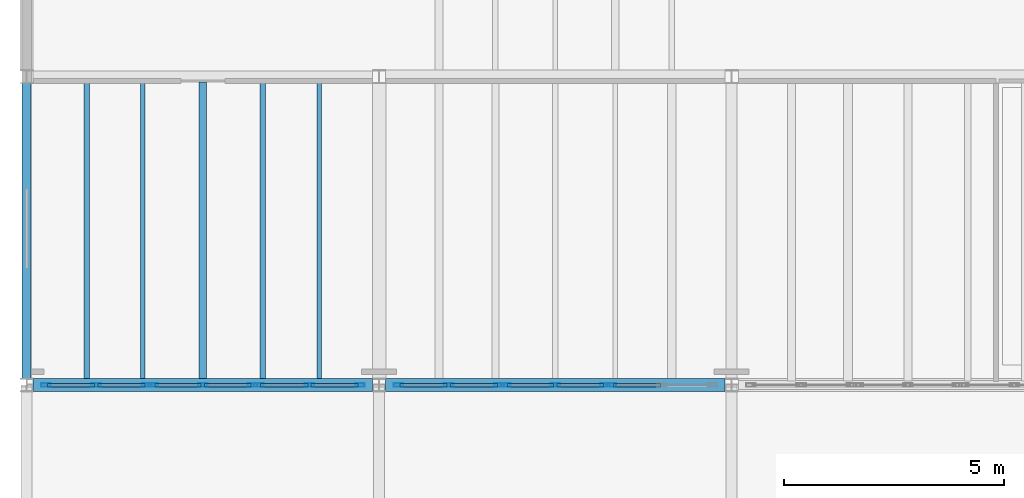
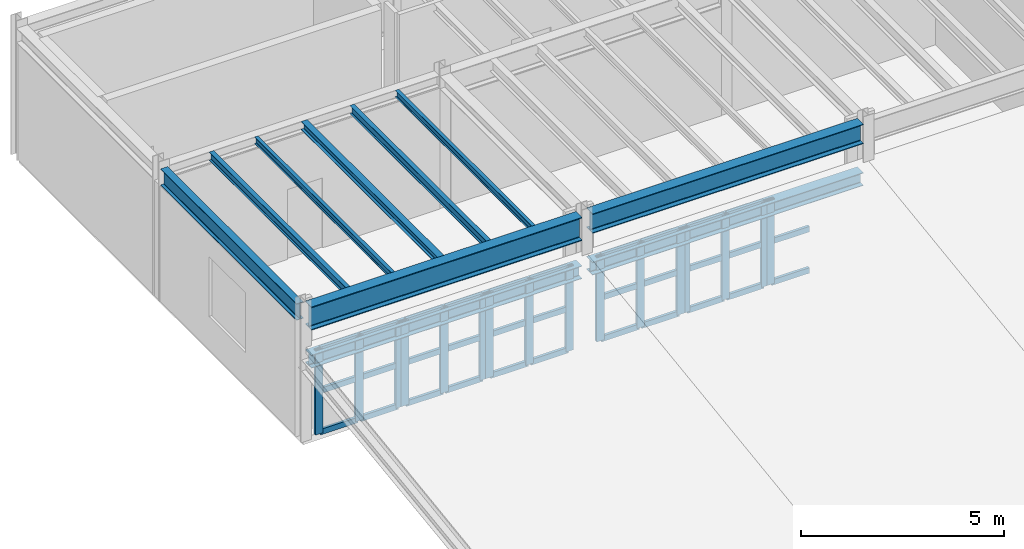
# One storey, part 8 of 77: 48 members, 10 beams, 6 elements without a shape of their own.
"""IFC4 building model written with IfcOpenShell, lengths in metres."""

import ifcopenshell
import ifcopenshell.guid

model = None  # the IFC model being written
_history = None  # IfcOwnerHistory: only IFC2X3 demands one
_inside = {}  # id of a spatial element -> (the spatial element, [elements in it])
_under = {}  # id of a project, library or spatial element -> (it, [spatial elements below it])
_declared = {}  # id of a project -> (the project, [libraries it declares])
_typed = {}  # id of a type object -> (the type object, [elements of that type])
_made_of = {}  # id of a material, layer set ... -> (it, [elements and type objects made of it])


def new_model(schema):
    """Start an empty IFC model of exactly this schema.

    Asked for "IFC4X3", IfcOpenShell would pick the latest addendum, in which some entities
    have other attributes; the version numbers below select the first issue.
    IFC2X3 requires an IfcOwnerHistory on every rooted entity: one is made here for all.
    """
    global model, _history
    if schema == "IFC4X3":
        model = ifcopenshell.file(schema_version=(4, 3, 0, 0))
    else:
        model = ifcopenshell.file(schema=schema)
    _inside.clear()
    _under.clear()
    _declared.clear()
    _typed.clear()
    _made_of.clear()
    _history = None
    if model.schema == "IFC2X3":
        org = make("IfcOrganization", Name="unknown")
        user = make(
            "IfcPersonAndOrganization",
            ThePerson=make("IfcPerson", FamilyName="unknown"),
            TheOrganization=org,
        )
        app = make(
            "IfcApplication",
            ApplicationDeveloper=org,
            Version="unknown",
            ApplicationFullName="unknown",
            ApplicationIdentifier="unknown",
        )
        _history = make(
            "IfcOwnerHistory",
            OwningUser=user,
            OwningApplication=app,
            ChangeAction="ADDED",
            CreationDate=0,
        )
    return model


def make(cls, **values):
    """One entity of the class cls with the attributes given. An attribute that is None is left unset."""
    return model.create_entity(
        cls, **{name: value for name, value in values.items() if value is not None}
    )


def rooted(cls, **values):
    """An entity with a GlobalId (a new one), such as an element, a storey or a relation."""
    return make(cls, GlobalId=ifcopenshell.guid.new(), OwnerHistory=_history, **values)


def si_unit(unit_type, name, prefix=None):
    """IfcSIUnit, for example si_unit("LENGTHUNIT", "METRE", prefix="MILLI")."""
    return make("IfcSIUnit", UnitType=unit_type, Prefix=prefix, Name=name)


def assignment(units):
    """IfcUnitAssignment: the units of a project."""
    return None if units is None else make("IfcUnitAssignment", Units=units)


def point(xyz):
    """IfcCartesianPoint."""
    return None if xyz is None else make("IfcCartesianPoint", Coordinates=xyz)


def direction(xyz):
    """IfcDirection."""
    return None if xyz is None else make("IfcDirection", DirectionRatios=xyz)


def frame(location, z_axis=None, x_axis=None):
    """IfcAxis2Placement3D, a coordinate frame: its origin and axes. An axis left out is left unset."""
    return make(
        "IfcAxis2Placement3D",
        Location=point(location),
        Axis=direction(z_axis),
        RefDirection=direction(x_axis),
    )


def frame_2d(location, x_axis=None):
    """IfcAxis2Placement2D, a coordinate frame in the plane: its origin and x axis."""
    return make(
        "IfcAxis2Placement2D", Location=point(location), RefDirection=direction(x_axis)
    )


def origin():
    """The frame at (0, 0, 0) with its axes left unset."""
    return frame((0.0, 0.0, 0.0))


def origin_2d():
    """The frame at (0, 0) in the plane with its x axis left unset."""
    return frame_2d((0.0, 0.0))


def place(relative_to, where):
    """IfcLocalPlacement: puts the frame where relative to a parent placement (None: the world)."""
    return make(
        "IfcLocalPlacement", PlacementRelTo=relative_to, RelativePlacement=where
    )


def context(
    kind, dimensions, precision=None, world=None, true_north=None, identifier=None
):
    """IfcGeometricRepresentationContext, for example the 3D "Model" context."""
    return make(
        "IfcGeometricRepresentationContext",
        ContextIdentifier=identifier,
        ContextType=kind,
        CoordinateSpaceDimension=dimensions,
        Precision=precision,
        WorldCoordinateSystem=world,
        TrueNorth=true_north,
    )


def subcontext(parent, identifier, kind, view, scale=None):
    """IfcGeometricRepresentationSubContext, for example "Body" below "Model"."""
    return make(
        "IfcGeometricRepresentationSubContext",
        ContextIdentifier=identifier,
        ContextType=kind,
        ParentContext=parent,
        TargetScale=scale,
        TargetView=view,
    )


def project(units=None, contexts=None):
    """IfcProject with its units and contexts."""
    return rooted(
        "IfcProject",
        Name="project",
        RepresentationContexts=contexts,
        UnitsInContext=assignment(units),
    )


def spatial(cls, under=None, at=None, **own):
    """A site, building, storey or space (cls), placed at a placement, below another one or the project."""
    s = rooted(cls, ObjectPlacement=at, **own)
    if under is not None:
        _under.setdefault(under.id(), (under, []))[1].append(s)
    return s


def profile(cls, at=None, kind="AREA", **sizes):
    """A parametric profile (cls). Its sizes go by their IFC names, for example OverallWidth=200.0."""
    return make(cls, ProfileType=kind, Position=at, **sizes)


def hollow_rectangle(**sizes):
    """IfcRectangleHollowProfileDef."""
    return profile("IfcRectangleHollowProfileDef", **sizes)


def i_section(**sizes):
    """IfcIShapeProfileDef."""
    return profile("IfcIShapeProfileDef", **sizes)


def extrude(swept, where, along, depth):
    """IfcExtrudedAreaSolid: the profile swept, set in the frame where, extruded along a direction by depth."""
    return make(
        "IfcExtrudedAreaSolid",
        SweptArea=swept,
        Position=where,
        ExtrudedDirection=direction(along),
        Depth=depth,
    )


def shape(context_of_items, identifier, shape_type, items):
    """IfcShapeRepresentation: the items that make up one representation, for example the "Body"."""
    return make(
        "IfcShapeRepresentation",
        ContextOfItems=context_of_items,
        RepresentationIdentifier=identifier,
        RepresentationType=shape_type,
        Items=items,
    )


def material(Name=None, Category=None):
    """IfcMaterial."""
    return make("IfcMaterial", Name=Name, Category=Category)


def material_profile(
    of_material, cross_section, Name=None, Category=None, Priority=None
):
    """IfcMaterialProfile: a cross section and its material."""
    return make(
        "IfcMaterialProfile",
        Name=Name,
        Material=of_material,
        Profile=cross_section,
        Priority=Priority,
        Category=Category,
    )


def profile_set(profiles, Name=None, composite=None):
    """IfcMaterialProfileSet."""
    return make(
        "IfcMaterialProfileSet",
        Name=Name,
        MaterialProfiles=profiles,
        CompositeProfile=composite,
    )


def made_of(thing, what):
    """Note that an element or type object is made of a material, layer set ...; save() writes the relation."""
    if what is not None:
        _made_of.setdefault(what.id(), (what, []))[1].append(thing)
    return thing


def type_object(cls, material=None, **own):
    """A type object (cls), such as IfcWallType, which elements share."""
    return made_of(rooted(cls, **own), material)


def element(
    cls,
    number,
    at=None,
    inside=None,
    cuts=None,
    type_object=None,
    material=None,
    context=None,
    identifier="Body",
    shape_type=None,
    held_by="IfcProductDefinitionShape",
    body=None,
    shapes=None,
    **own,
):
    """One element of the class cls, such as IfcWall. Its Tag is "e" and its number.

    at: its placement. inside: the storey or other place that contains it. cuts: it is an
    opening in that element (IfcRelVoidsElement). A single representation is given by context,
    identifier, shape_type and body (its items); several are given by shapes. held_by: the class
    of the entity that holds the representations. save() writes the other relations.
    """
    e = rooted(cls, Tag="e%d" % number, ObjectPlacement=at, **own)
    if body is not None:
        shapes = [shape(context, identifier, shape_type, body)]
    if shapes is not None:
        e.Representation = make(held_by, Representations=shapes)
    if inside is not None:
        _inside.setdefault(inside.id(), (inside, []))[1].append(e)
    if cuts is not None:
        rooted(
            "IfcRelVoidsElement", RelatingBuildingElement=cuts, RelatedOpeningElement=e
        )
    if type_object is not None:
        _typed.setdefault(type_object.id(), (type_object, []))[1].append(e)
    return made_of(e, material)


def aggregate(whole, parts):
    """IfcRelAggregates: a whole, such as a stair, and the parts it consists of."""
    return rooted("IfcRelAggregates", RelatingObject=whole, RelatedObjects=parts)


def save(model, path):
    """Write the relations noted so far, then the file.

    IfcRelAggregates (storeys below a building ...), IfcRelContainedInSpatialStructure (elements
    in a storey), IfcRelDefinesByType, IfcRelAssociatesMaterial and IfcRelDeclares: one each for
    every whole, place, type object, material and project.
    """
    for whole, parts in _under.values():
        aggregate(whole, parts)
    for where, things in _inside.values():
        rooted(
            "IfcRelContainedInSpatialStructure",
            RelatedElements=things,
            RelatingStructure=where,
        )
    for kind, things in _typed.values():
        rooted("IfcRelDefinesByType", RelatedObjects=things, RelatingType=kind)
    for what, things in _made_of.values():
        rooted("IfcRelAssociatesMaterial", RelatedObjects=things, RelatingMaterial=what)
    for by, libraries in _declared.values():
        rooted("IfcRelDeclares", RelatingContext=by, RelatedDefinitions=libraries)
    model.write(path)


model = new_model("IFC4")

# Units and contexts
model_context = context("Model", 3, precision=1e-05, world=origin(), true_north=direction((0.0, 1.0)))
body_context = subcontext(model_context, "Body", "Model", "MODEL_VIEW")
ifc_project = project(units=[si_unit("LENGTHUNIT", "METRE"), si_unit("AREAUNIT", "SQUARE_METRE"), si_unit("VOLUMEUNIT", "CUBIC_METRE"), si_unit("PLANEANGLEUNIT", "RADIAN"), si_unit("MASSUNIT", "GRAM", prefix="KILO"), si_unit("THERMODYNAMICTEMPERATUREUNIT", "KELVIN"), si_unit("POWERUNIT", "WATT")], contexts=[model_context])

# Site, building, storey
site_placement = place(None, origin())
site = spatial("IfcSite", under=ifc_project, at=site_placement, CompositionType="ELEMENT")
building_placement = place(site_placement, origin())
building = spatial("IfcBuilding", under=site, at=building_placement, Name="Zhenchuan Central Fire Station", CompositionType="ELEMENT")
storey_placement = place(building_placement, frame((0.0, 0.0, 10.050048828125)))
storey = spatial("IfcBuildingStorey", under=building, at=storey_placement, Name="L03", CompositionType="ELEMENT", Elevation=10.050048828125)

# Beams
ifc_material_1 = material(Name="Steel Q355B", Category="steel")
ifc_material_profile_1 = material_profile(ifc_material_1, i_section(OverallWidth=0.300048828125, OverallDepth=0.389892578125, WebThickness=0.010009765625, FlangeThickness=0.01611328125, FilletRadius=0.02001953125, at=origin_2d()), Name="HM 390x300")
ifc_profile_set_1 = profile_set([ifc_material_profile_1], Name="Steel Q355B")
beam_type_1 = type_object("IfcBeamType", Name="BM-HM390-INT", PredefinedType="BEAM", material=ifc_profile_set_1)
for number, where, z_axis, x_axis, name in (
    (1, (0.14990234375, 42.5, 2.329833984375), (1.0, 0.0, 0.0), (0.0, 1.0, 0.0), "Workshop Sawtooth Ridge Girder 1"),
    (2, (8.14990234375, 42.5, 2.329833984375), (1.0, 0.0, 0.0), (0.0, 1.0, 0.0), "Workshop Sawtooth Ridge Girder 2"),
):
    element("IfcBeam", number, at=place(storey_placement, frame(where, z_axis=z_axis, x_axis=x_axis)), inside=storey, type_object=beam_type_1, Name=name, PredefinedType="BEAM", context=body_context, shape_type="SweptSolid", body=[
        extrude(i_section(OverallWidth=0.300048828125, OverallDepth=0.389892578125, WebThickness=0.010009765625, FlangeThickness=0.01611328125, FilletRadius=0.02001953125, at=origin_2d()), origin(), (0.0, 0.0, 1.0), 7.7001953125),
    ])
ifc_material_profile_2 = material_profile(ifc_material_1, i_section(OverallWidth=0.300048828125, OverallDepth=0.587890625, WebThickness=0.011962890625, FlangeThickness=0.02001953125, FilletRadius=0.02392578125, at=origin_2d()), Name="HM 588x300")
ifc_profile_set_2 = profile_set([ifc_material_profile_2], Name="Steel Q355B")
beam_type_2 = type_object("IfcBeamType", Name="BM-HM588", PredefinedType="BEAM", material=ifc_profile_set_2)
beam_1_placement = place(storey_placement, frame((8.14990234375, 42.5, 3.68603515625), z_axis=(1.0, 0.0, 0.0), x_axis=(0.0, 1.0, 0.0)))
element("IfcBeam", 3, at=beam_1_placement, inside=storey, type_object=beam_type_2, Name="L04 Girder EW 0363", PredefinedType="BEAM", context=body_context, shape_type="SweptSolid", body=[
    extrude(i_section(OverallWidth=0.300048828125, OverallDepth=0.587890625, WebThickness=0.011962890625, FlangeThickness=0.02001953125, FilletRadius=0.02392578125, at=origin_2d()), origin(), (0.0, 0.0, 1.0), 7.7001953125),
])
ifc_material_profile_3 = material_profile(ifc_material_1, i_section(OverallWidth=0.300048828125, OverallDepth=0.699951171875, WebThickness=0.012939453125, FlangeThickness=0.02392578125, FilletRadius=0.02392578125, at=origin_2d()), Name="HN 700x300")
ifc_profile_set_3 = profile_set([ifc_material_profile_3], Name="Steel Q355B")
beam_type_3 = type_object("IfcBeamType", Name="BM-HN700", PredefinedType="BEAM", material=ifc_profile_set_3)
beam_2_placement = place(storey_placement, frame((0.14990234375, 42.5, 3.6298828125), z_axis=(1.0, 0.0, 0.0), x_axis=(0.0, 1.0, 0.0)))
element("IfcBeam", 4, at=beam_2_placement, inside=storey, type_object=beam_type_3, Name="L04 Girder EW 0362", PredefinedType="BEAM", context=body_context, shape_type="SweptSolid", body=[
    extrude(i_section(OverallWidth=0.300048828125, OverallDepth=0.699951171875, WebThickness=0.012939453125, FlangeThickness=0.02392578125, FilletRadius=0.02392578125, at=origin_2d()), origin(), (0.0, 0.0, 1.0), 7.7001953125),
])

# Curtain wall, members
ifc_material_2 = material(Name="Anodised aluminium and low-E glazing", Category="aluminium")
curtain_wall_type_1 = type_object("IfcCurtainWallType", Name="CW-MOD-18", PredefinedType="USERDEFINED", material=ifc_material_2)
curtain_wall_1_placement = place(storey_placement, origin())
curtain_wall_1 = element("IfcCurtainWall", 5, at=curtain_wall_1_placement, inside=storey, type_object=curtain_wall_type_1, Name="L03 Unitised Curtain Wall 037", ObjectType="UNITISED GLAZING", PredefinedType="USERDEFINED")
ifc_material_3 = material(Name="Anodised aluminium EN AW-6063", Category="aluminium")
ifc_material_profile_4 = material_profile(ifc_material_3, hollow_rectangle(XDim=0.080078125, YDim=0.219970703125, WallThickness=0.005615234375, at=origin_2d()), Name="ALU-M 220x80")
ifc_profile_set_4 = profile_set([ifc_material_profile_4], Name="Anodised aluminium EN AW-6063")
member_type_1 = type_object("IfcMemberType", Name="CW-MUL200", PredefinedType="MULLION", material=ifc_profile_set_4)
member_1_placement = place(storey_placement, frame((0.4375, 42.5, -0.004150390625), z_axis=(0.0, 0.0, 1.0), x_axis=(0.0, 1.0, 0.0)))
member_1 = element("IfcMember", 6, at=member_1_placement, type_object=member_type_1, Name="CW-18 mullion 1", PredefinedType="MULLION", context=body_context, shape_type="SweptSolid", body=[
    extrude(hollow_rectangle(XDim=0.080078125, YDim=0.219970703125, WallThickness=0.005615234375, at=origin_2d()), origin(), (0.0, 0.0, 1.0), 2.55419921875),
])
member_2_placement = place(storey_placement, frame((1.5810546875, 42.5, -0.004150390625), z_axis=(0.0, 0.0, 1.0), x_axis=(0.0, 1.0, 0.0)))
member_2 = element("IfcMember", 7, at=member_2_placement, type_object=member_type_1, Name="CW-18 mullion 2", PredefinedType="MULLION", context=body_context, shape_type="SweptSolid", body=[
    extrude(hollow_rectangle(XDim=0.080078125, YDim=0.219970703125, WallThickness=0.005615234375, at=origin_2d()), origin(), (0.0, 0.0, 1.0), 2.55419921875),
])
member_3_placement = place(storey_placement, frame((2.724609375, 42.5, -0.004150390625), z_axis=(0.0, 0.0, 1.0), x_axis=(0.0, 1.0, 0.0)))
member_3 = element("IfcMember", 8, at=member_3_placement, type_object=member_type_1, Name="CW-18 mullion 3", PredefinedType="MULLION", context=body_context, shape_type="SweptSolid", body=[
    extrude(hollow_rectangle(XDim=0.080078125, YDim=0.219970703125, WallThickness=0.005615234375, at=origin_2d()), origin(), (0.0, 0.0, 1.0), 2.55419921875),
])

curtain_wall_type_2 = type_object("IfcCurtainWallType", Name="CW-MOD-19", PredefinedType="USERDEFINED", material=ifc_material_2)
curtain_wall_2_placement = place(storey_placement, origin())
curtain_wall_2 = element("IfcCurtainWall", 9, at=curtain_wall_2_placement, inside=storey, type_object=curtain_wall_type_2, Name="L03 Unitised Curtain Wall 038", ObjectType="UNITISED GLAZING", PredefinedType="USERDEFINED")
member_4_placement = place(storey_placement, frame((2.87548828125, 42.5, -0.004150390625), z_axis=(0.0, 0.0, 1.0), x_axis=(0.0, 1.0, 0.0)))
member_4 = element("IfcMember", 10, at=member_4_placement, type_object=member_type_1, Name="CW-19 mullion 1", PredefinedType="MULLION", context=body_context, shape_type="SweptSolid", body=[
    extrude(hollow_rectangle(XDim=0.080078125, YDim=0.219970703125, WallThickness=0.005615234375, at=origin_2d()), origin(), (0.0, 0.0, 1.0), 2.55419921875),
])
member_5_placement = place(storey_placement, frame((4.0, 42.5, -0.004150390625), z_axis=(0.0, 0.0, 1.0), x_axis=(0.0, 1.0, 0.0)))
member_5 = element("IfcMember", 11, at=member_5_placement, type_object=member_type_1, Name="CW-19 mullion 2", PredefinedType="MULLION", context=body_context, shape_type="SweptSolid", body=[
    extrude(hollow_rectangle(XDim=0.080078125, YDim=0.219970703125, WallThickness=0.005615234375, at=origin_2d()), origin(), (0.0, 0.0, 1.0), 2.55419921875),
])
member_6_placement = place(storey_placement, frame((5.12451171875, 42.5, -0.004150390625), z_axis=(0.0, 0.0, 1.0), x_axis=(0.0, 1.0, 0.0)))
member_6 = element("IfcMember", 12, at=member_6_placement, type_object=member_type_1, Name="CW-19 mullion 3", PredefinedType="MULLION", context=body_context, shape_type="SweptSolid", body=[
    extrude(hollow_rectangle(XDim=0.080078125, YDim=0.219970703125, WallThickness=0.005615234375, at=origin_2d()), origin(), (0.0, 0.0, 1.0), 2.55419921875),
])

curtain_wall_type_3 = type_object("IfcCurtainWallType", Name="CW-MOD-20", PredefinedType="USERDEFINED", material=ifc_material_2)
curtain_wall_3_placement = place(storey_placement, origin())
curtain_wall_3 = element("IfcCurtainWall", 13, at=curtain_wall_3_placement, inside=storey, type_object=curtain_wall_type_3, Name="L03 Unitised Curtain Wall 039", ObjectType="UNITISED GLAZING", PredefinedType="USERDEFINED")
member_7_placement = place(storey_placement, frame((5.275390625, 42.5, -0.004150390625), z_axis=(0.0, 0.0, 1.0), x_axis=(0.0, 1.0, 0.0)))
member_7 = element("IfcMember", 14, at=member_7_placement, type_object=member_type_1, Name="CW-20 mullion 1", PredefinedType="MULLION", context=body_context, shape_type="SweptSolid", body=[
    extrude(hollow_rectangle(XDim=0.080078125, YDim=0.219970703125, WallThickness=0.005615234375, at=origin_2d()), origin(), (0.0, 0.0, 1.0), 2.55419921875),
])
member_8_placement = place(storey_placement, frame((6.4189453125, 42.5, -0.004150390625), z_axis=(0.0, 0.0, 1.0), x_axis=(0.0, 1.0, 0.0)))
member_8 = element("IfcMember", 15, at=member_8_placement, type_object=member_type_1, Name="CW-20 mullion 2", PredefinedType="MULLION", context=body_context, shape_type="SweptSolid", body=[
    extrude(hollow_rectangle(XDim=0.080078125, YDim=0.219970703125, WallThickness=0.005615234375, at=origin_2d()), origin(), (0.0, 0.0, 1.0), 2.55419921875),
])
member_9_placement = place(storey_placement, frame((7.5625, 42.5, -0.004150390625), z_axis=(0.0, 0.0, 1.0), x_axis=(0.0, 1.0, 0.0)))
member_9 = element("IfcMember", 16, at=member_9_placement, type_object=member_type_1, Name="CW-20 mullion 3", PredefinedType="MULLION", context=body_context, shape_type="SweptSolid", body=[
    extrude(hollow_rectangle(XDim=0.080078125, YDim=0.219970703125, WallThickness=0.005615234375, at=origin_2d()), origin(), (0.0, 0.0, 1.0), 2.55419921875),
])

curtain_wall_4_placement = place(storey_placement, origin())
curtain_wall_4 = element("IfcCurtainWall", 17, at=curtain_wall_4_placement, inside=storey, type_object=curtain_wall_type_2, Name="L03 Unitised Curtain Wall 040", ObjectType="UNITISED GLAZING", PredefinedType="USERDEFINED")
member_10_placement = place(storey_placement, frame((8.4375, 42.5, -0.004150390625), z_axis=(0.0, 0.0, 1.0), x_axis=(0.0, 1.0, 0.0)))
member_10 = element("IfcMember", 18, at=member_10_placement, type_object=member_type_1, Name="CW-19 mullion 1", PredefinedType="MULLION", context=body_context, shape_type="SweptSolid", body=[
    extrude(hollow_rectangle(XDim=0.080078125, YDim=0.219970703125, WallThickness=0.005615234375, at=origin_2d()), origin(), (0.0, 0.0, 1.0), 2.55419921875),
])
member_11_placement = place(storey_placement, frame((9.5810546875, 42.5, -0.004150390625), z_axis=(0.0, 0.0, 1.0), x_axis=(0.0, 1.0, 0.0)))
member_11 = element("IfcMember", 19, at=member_11_placement, type_object=member_type_1, Name="CW-19 mullion 2", PredefinedType="MULLION", context=body_context, shape_type="SweptSolid", body=[
    extrude(hollow_rectangle(XDim=0.080078125, YDim=0.219970703125, WallThickness=0.005615234375, at=origin_2d()), origin(), (0.0, 0.0, 1.0), 2.55419921875),
])
member_12_placement = place(storey_placement, frame((10.724609375, 42.5, -0.004150390625), z_axis=(0.0, 0.0, 1.0), x_axis=(0.0, 1.0, 0.0)))
member_12 = element("IfcMember", 20, at=member_12_placement, type_object=member_type_1, Name="CW-19 mullion 3", PredefinedType="MULLION", context=body_context, shape_type="SweptSolid", body=[
    extrude(hollow_rectangle(XDim=0.080078125, YDim=0.219970703125, WallThickness=0.005615234375, at=origin_2d()), origin(), (0.0, 0.0, 1.0), 2.55419921875),
])

curtain_wall_5_placement = place(storey_placement, origin())
curtain_wall_5 = element("IfcCurtainWall", 21, at=curtain_wall_5_placement, inside=storey, type_object=curtain_wall_type_3, Name="L03 Unitised Curtain Wall 041", ObjectType="UNITISED GLAZING", PredefinedType="USERDEFINED")
member_13_placement = place(storey_placement, frame((10.87548828125, 42.5, -0.004150390625), z_axis=(0.0, 0.0, 1.0), x_axis=(0.0, 1.0, 0.0)))
member_13 = element("IfcMember", 22, at=member_13_placement, type_object=member_type_1, Name="CW-20 mullion 1", PredefinedType="MULLION", context=body_context, shape_type="SweptSolid", body=[
    extrude(hollow_rectangle(XDim=0.080078125, YDim=0.219970703125, WallThickness=0.005615234375, at=origin_2d()), origin(), (0.0, 0.0, 1.0), 2.55419921875),
])
member_14_placement = place(storey_placement, frame((12.0, 42.5, -0.004150390625), z_axis=(0.0, 0.0, 1.0), x_axis=(0.0, 1.0, 0.0)))
member_14 = element("IfcMember", 23, at=member_14_placement, type_object=member_type_1, Name="CW-20 mullion 2", PredefinedType="MULLION", context=body_context, shape_type="SweptSolid", body=[
    extrude(hollow_rectangle(XDim=0.080078125, YDim=0.219970703125, WallThickness=0.005615234375, at=origin_2d()), origin(), (0.0, 0.0, 1.0), 2.55419921875),
])
member_15_placement = place(storey_placement, frame((13.12451171875, 42.5, -0.004150390625), z_axis=(0.0, 0.0, 1.0), x_axis=(0.0, 1.0, 0.0)))
member_15 = element("IfcMember", 24, at=member_15_placement, type_object=member_type_1, Name="CW-20 mullion 3", PredefinedType="MULLION", context=body_context, shape_type="SweptSolid", body=[
    extrude(hollow_rectangle(XDim=0.080078125, YDim=0.219970703125, WallThickness=0.005615234375, at=origin_2d()), origin(), (0.0, 0.0, 1.0), 2.55419921875),
])

# Curtain wall, member
curtain_wall_type_4 = type_object("IfcCurtainWallType", Name="CW-MOD-21", PredefinedType="USERDEFINED", material=ifc_material_2)
curtain_wall_6_placement = place(storey_placement, origin())
curtain_wall_6 = element("IfcCurtainWall", 25, at=curtain_wall_6_placement, inside=storey, type_object=curtain_wall_type_4, Name="L03 Unitised Curtain Wall 042", ObjectType="UNITISED GLAZING", PredefinedType="USERDEFINED")
member_16_placement = place(storey_placement, frame((13.275390625, 42.5, -0.004150390625), z_axis=(0.0, 0.0, 1.0), x_axis=(0.0, 1.0, 0.0)))
member_16 = element("IfcMember", 26, at=member_16_placement, type_object=member_type_1, Name="CW-21 mullion 1", PredefinedType="MULLION", context=body_context, shape_type="SweptSolid", body=[
    extrude(hollow_rectangle(XDim=0.080078125, YDim=0.219970703125, WallThickness=0.005615234375, at=origin_2d()), origin(), (0.0, 0.0, 1.0), 2.55419921875),
])

# Member
ifc_material_profile_5 = material_profile(ifc_material_3, hollow_rectangle(XDim=0.080078125, YDim=0.1650390625, WallThickness=0.0048828125, at=origin_2d()), Name="ALU-T 165x80")
ifc_profile_set_5 = profile_set([ifc_material_profile_5], Name="Anodised aluminium EN AW-6063")
member_type_2 = type_object("IfcMemberType", Name="CW-TRN150", PredefinedType="NOTDEFINED", material=ifc_profile_set_5)
member_17_placement = place(storey_placement, frame((0.47509765625, 42.5, 0.033447265625), z_axis=(1.0, 0.0, 0.0), x_axis=(0.0, 1.0, 0.0)))
member_17 = element("IfcMember", 27, at=member_17_placement, type_object=member_type_2, Name="CW-18 transom 1.1", ObjectType="TRANSOM", PredefinedType="USERDEFINED", context=body_context, shape_type="SweptSolid", body=[
    extrude(hollow_rectangle(XDim=0.080078125, YDim=0.1650390625, WallThickness=0.0048828125, at=origin_2d()), origin(), (0.0, 0.0, 1.0), 1.068359375),
])

member_18_placement = place(storey_placement, frame((0.47509765625, 42.5, 1.27490234375), z_axis=(1.0, 0.0, 0.0), x_axis=(0.0, 1.0, 0.0)))
member_18 = element("IfcMember", 28, at=member_18_placement, type_object=member_type_2, Name="CW-18 transom 1.2", ObjectType="TRANSOM", PredefinedType="USERDEFINED", context=body_context, shape_type="SweptSolid", body=[
    extrude(hollow_rectangle(XDim=0.080078125, YDim=0.1650390625, WallThickness=0.0048828125, at=origin_2d()), origin(), (0.0, 0.0, 1.0), 1.068359375),
])

member_19_placement = place(storey_placement, frame((0.47509765625, 42.5, 2.512451171875), z_axis=(1.0, 0.0, 0.0), x_axis=(0.0, 1.0, 0.0)))
member_19 = element("IfcMember", 29, at=member_19_placement, type_object=member_type_2, Name="CW-18 transom 1.3", ObjectType="TRANSOM", PredefinedType="USERDEFINED", context=body_context, shape_type="SweptSolid", body=[
    extrude(hollow_rectangle(XDim=0.080078125, YDim=0.1650390625, WallThickness=0.0048828125, at=origin_2d()), origin(), (0.0, 0.0, 1.0), 1.068359375),
])

member_20_placement = place(storey_placement, frame((1.618408203125, 42.5, 0.033447265625), z_axis=(1.0, 0.0, 0.0), x_axis=(0.0, 1.0, 0.0)))
member_20 = element("IfcMember", 30, at=member_20_placement, type_object=member_type_2, Name="CW-18 transom 2.1", ObjectType="TRANSOM", PredefinedType="USERDEFINED", context=body_context, shape_type="SweptSolid", body=[
    extrude(hollow_rectangle(XDim=0.080078125, YDim=0.1650390625, WallThickness=0.0048828125, at=origin_2d()), origin(), (0.0, 0.0, 1.0), 1.068603515625),
])

member_21_placement = place(storey_placement, frame((1.618408203125, 42.5, 1.27490234375), z_axis=(1.0, 0.0, 0.0), x_axis=(0.0, 1.0, 0.0)))
member_21 = element("IfcMember", 31, at=member_21_placement, type_object=member_type_2, Name="CW-18 transom 2.2", ObjectType="TRANSOM", PredefinedType="USERDEFINED", context=body_context, shape_type="SweptSolid", body=[
    extrude(hollow_rectangle(XDim=0.080078125, YDim=0.1650390625, WallThickness=0.0048828125, at=origin_2d()), origin(), (0.0, 0.0, 1.0), 1.068603515625),
])

member_22_placement = place(storey_placement, frame((1.618408203125, 42.5, 2.512451171875), z_axis=(1.0, 0.0, 0.0), x_axis=(0.0, 1.0, 0.0)))
member_22 = element("IfcMember", 32, at=member_22_placement, type_object=member_type_2, Name="CW-18 transom 2.3", ObjectType="TRANSOM", PredefinedType="USERDEFINED", context=body_context, shape_type="SweptSolid", body=[
    extrude(hollow_rectangle(XDim=0.080078125, YDim=0.1650390625, WallThickness=0.0048828125, at=origin_2d()), origin(), (0.0, 0.0, 1.0), 1.068603515625),
])

aggregate(curtain_wall_1, [member_1, member_2, member_3, member_17, member_18, member_19, member_20, member_21, member_22])

member_23_placement = place(storey_placement, frame((2.9130859375, 42.5, 0.033447265625), z_axis=(1.0, 0.0, 0.0), x_axis=(0.0, 1.0, 0.0)))
member_23 = element("IfcMember", 33, at=member_23_placement, type_object=member_type_2, Name="CW-19 transom 1.1", ObjectType="TRANSOM", PredefinedType="USERDEFINED", context=body_context, shape_type="SweptSolid", body=[
    extrude(hollow_rectangle(XDim=0.080078125, YDim=0.1650390625, WallThickness=0.0048828125, at=origin_2d()), origin(), (0.0, 0.0, 1.0), 1.04931640625),
])

member_24_placement = place(storey_placement, frame((2.9130859375, 42.5, 1.27490234375), z_axis=(1.0, 0.0, 0.0), x_axis=(0.0, 1.0, 0.0)))
member_24 = element("IfcMember", 34, at=member_24_placement, type_object=member_type_2, Name="CW-19 transom 1.2", ObjectType="TRANSOM", PredefinedType="USERDEFINED", context=body_context, shape_type="SweptSolid", body=[
    extrude(hollow_rectangle(XDim=0.080078125, YDim=0.1650390625, WallThickness=0.0048828125, at=origin_2d()), origin(), (0.0, 0.0, 1.0), 1.04931640625),
])

member_25_placement = place(storey_placement, frame((2.9130859375, 42.5, 2.512451171875), z_axis=(1.0, 0.0, 0.0), x_axis=(0.0, 1.0, 0.0)))
member_25 = element("IfcMember", 35, at=member_25_placement, type_object=member_type_2, Name="CW-19 transom 1.3", ObjectType="TRANSOM", PredefinedType="USERDEFINED", context=body_context, shape_type="SweptSolid", body=[
    extrude(hollow_rectangle(XDim=0.080078125, YDim=0.1650390625, WallThickness=0.0048828125, at=origin_2d()), origin(), (0.0, 0.0, 1.0), 1.04931640625),
])

member_26_placement = place(storey_placement, frame((4.03759765625, 42.5, 0.033447265625), z_axis=(1.0, 0.0, 0.0), x_axis=(0.0, 1.0, 0.0)))
member_26 = element("IfcMember", 36, at=member_26_placement, type_object=member_type_2, Name="CW-19 transom 2.1", ObjectType="TRANSOM", PredefinedType="USERDEFINED", context=body_context, shape_type="SweptSolid", body=[
    extrude(hollow_rectangle(XDim=0.080078125, YDim=0.1650390625, WallThickness=0.0048828125, at=origin_2d()), origin(), (0.0, 0.0, 1.0), 1.04931640625),
])

member_27_placement = place(storey_placement, frame((4.03759765625, 42.5, 1.27490234375), z_axis=(1.0, 0.0, 0.0), x_axis=(0.0, 1.0, 0.0)))
member_27 = element("IfcMember", 37, at=member_27_placement, type_object=member_type_2, Name="CW-19 transom 2.2", ObjectType="TRANSOM", PredefinedType="USERDEFINED", context=body_context, shape_type="SweptSolid", body=[
    extrude(hollow_rectangle(XDim=0.080078125, YDim=0.1650390625, WallThickness=0.0048828125, at=origin_2d()), origin(), (0.0, 0.0, 1.0), 1.04931640625),
])

member_28_placement = place(storey_placement, frame((4.03759765625, 42.5, 2.512451171875), z_axis=(1.0, 0.0, 0.0), x_axis=(0.0, 1.0, 0.0)))
member_28 = element("IfcMember", 38, at=member_28_placement, type_object=member_type_2, Name="CW-19 transom 2.3", ObjectType="TRANSOM", PredefinedType="USERDEFINED", context=body_context, shape_type="SweptSolid", body=[
    extrude(hollow_rectangle(XDim=0.080078125, YDim=0.1650390625, WallThickness=0.0048828125, at=origin_2d()), origin(), (0.0, 0.0, 1.0), 1.04931640625),
])

aggregate(curtain_wall_2, [member_4, member_5, member_6, member_23, member_24, member_25, member_26, member_27, member_28])

member_29_placement = place(storey_placement, frame((5.31298828125, 42.5, 0.033447265625), z_axis=(1.0, 0.0, 0.0), x_axis=(0.0, 1.0, 0.0)))
member_29 = element("IfcMember", 39, at=member_29_placement, type_object=member_type_2, Name="CW-20 transom 1.1", ObjectType="TRANSOM", PredefinedType="USERDEFINED", context=body_context, shape_type="SweptSolid", body=[
    extrude(hollow_rectangle(XDim=0.080078125, YDim=0.1650390625, WallThickness=0.0048828125, at=origin_2d()), origin(), (0.0, 0.0, 1.0), 1.068603515625),
])

member_30_placement = place(storey_placement, frame((5.31298828125, 42.5, 1.27490234375), z_axis=(1.0, 0.0, 0.0), x_axis=(0.0, 1.0, 0.0)))
member_30 = element("IfcMember", 40, at=member_30_placement, type_object=member_type_2, Name="CW-20 transom 1.2", ObjectType="TRANSOM", PredefinedType="USERDEFINED", context=body_context, shape_type="SweptSolid", body=[
    extrude(hollow_rectangle(XDim=0.080078125, YDim=0.1650390625, WallThickness=0.0048828125, at=origin_2d()), origin(), (0.0, 0.0, 1.0), 1.068603515625),
])

member_31_placement = place(storey_placement, frame((5.31298828125, 42.5, 2.512451171875), z_axis=(1.0, 0.0, 0.0), x_axis=(0.0, 1.0, 0.0)))
member_31 = element("IfcMember", 41, at=member_31_placement, type_object=member_type_2, Name="CW-20 transom 1.3", ObjectType="TRANSOM", PredefinedType="USERDEFINED", context=body_context, shape_type="SweptSolid", body=[
    extrude(hollow_rectangle(XDim=0.080078125, YDim=0.1650390625, WallThickness=0.0048828125, at=origin_2d()), origin(), (0.0, 0.0, 1.0), 1.068603515625),
])

member_32_placement = place(storey_placement, frame((6.45654296875, 42.5, 0.033447265625), z_axis=(1.0, 0.0, 0.0), x_axis=(0.0, 1.0, 0.0)))
member_32 = element("IfcMember", 42, at=member_32_placement, type_object=member_type_2, Name="CW-20 transom 2.1", ObjectType="TRANSOM", PredefinedType="USERDEFINED", context=body_context, shape_type="SweptSolid", body=[
    extrude(hollow_rectangle(XDim=0.080078125, YDim=0.1650390625, WallThickness=0.0048828125, at=origin_2d()), origin(), (0.0, 0.0, 1.0), 1.068359375),
])

member_33_placement = place(storey_placement, frame((6.45654296875, 42.5, 1.27490234375), z_axis=(1.0, 0.0, 0.0), x_axis=(0.0, 1.0, 0.0)))
member_33 = element("IfcMember", 43, at=member_33_placement, type_object=member_type_2, Name="CW-20 transom 2.2", ObjectType="TRANSOM", PredefinedType="USERDEFINED", context=body_context, shape_type="SweptSolid", body=[
    extrude(hollow_rectangle(XDim=0.080078125, YDim=0.1650390625, WallThickness=0.0048828125, at=origin_2d()), origin(), (0.0, 0.0, 1.0), 1.068359375),
])

member_34_placement = place(storey_placement, frame((6.45654296875, 42.5, 2.512451171875), z_axis=(1.0, 0.0, 0.0), x_axis=(0.0, 1.0, 0.0)))
member_34 = element("IfcMember", 44, at=member_34_placement, type_object=member_type_2, Name="CW-20 transom 2.3", ObjectType="TRANSOM", PredefinedType="USERDEFINED", context=body_context, shape_type="SweptSolid", body=[
    extrude(hollow_rectangle(XDim=0.080078125, YDim=0.1650390625, WallThickness=0.0048828125, at=origin_2d()), origin(), (0.0, 0.0, 1.0), 1.068359375),
])

aggregate(curtain_wall_3, [member_7, member_8, member_9, member_29, member_30, member_31, member_32, member_33, member_34])

member_35_placement = place(storey_placement, frame((8.47509765625, 42.5, 0.033447265625), z_axis=(1.0, 0.0, 0.0), x_axis=(0.0, 1.0, 0.0)))
member_35 = element("IfcMember", 45, at=member_35_placement, type_object=member_type_2, Name="CW-19 transom 1.1", ObjectType="TRANSOM", PredefinedType="USERDEFINED", context=body_context, shape_type="SweptSolid", body=[
    extrude(hollow_rectangle(XDim=0.080078125, YDim=0.1650390625, WallThickness=0.0048828125, at=origin_2d()), origin(), (0.0, 0.0, 1.0), 1.068359375),
])

member_36_placement = place(storey_placement, frame((8.47509765625, 42.5, 1.27490234375), z_axis=(1.0, 0.0, 0.0), x_axis=(0.0, 1.0, 0.0)))
member_36 = element("IfcMember", 46, at=member_36_placement, type_object=member_type_2, Name="CW-19 transom 1.2", ObjectType="TRANSOM", PredefinedType="USERDEFINED", context=body_context, shape_type="SweptSolid", body=[
    extrude(hollow_rectangle(XDim=0.080078125, YDim=0.1650390625, WallThickness=0.0048828125, at=origin_2d()), origin(), (0.0, 0.0, 1.0), 1.068359375),
])

member_37_placement = place(storey_placement, frame((8.47509765625, 42.5, 2.512451171875), z_axis=(1.0, 0.0, 0.0), x_axis=(0.0, 1.0, 0.0)))
member_37 = element("IfcMember", 47, at=member_37_placement, type_object=member_type_2, Name="CW-19 transom 1.3", ObjectType="TRANSOM", PredefinedType="USERDEFINED", context=body_context, shape_type="SweptSolid", body=[
    extrude(hollow_rectangle(XDim=0.080078125, YDim=0.1650390625, WallThickness=0.0048828125, at=origin_2d()), origin(), (0.0, 0.0, 1.0), 1.068359375),
])

member_38_placement = place(storey_placement, frame((9.618408203125, 42.5, 0.033447265625), z_axis=(1.0, 0.0, 0.0), x_axis=(0.0, 1.0, 0.0)))
member_38 = element("IfcMember", 48, at=member_38_placement, type_object=member_type_2, Name="CW-19 transom 2.1", ObjectType="TRANSOM", PredefinedType="USERDEFINED", context=body_context, shape_type="SweptSolid", body=[
    extrude(hollow_rectangle(XDim=0.080078125, YDim=0.1650390625, WallThickness=0.0048828125, at=origin_2d()), origin(), (0.0, 0.0, 1.0), 1.068603515625),
])

member_39_placement = place(storey_placement, frame((9.618408203125, 42.5, 1.27490234375), z_axis=(1.0, 0.0, 0.0), x_axis=(0.0, 1.0, 0.0)))
member_39 = element("IfcMember", 49, at=member_39_placement, type_object=member_type_2, Name="CW-19 transom 2.2", ObjectType="TRANSOM", PredefinedType="USERDEFINED", context=body_context, shape_type="SweptSolid", body=[
    extrude(hollow_rectangle(XDim=0.080078125, YDim=0.1650390625, WallThickness=0.0048828125, at=origin_2d()), origin(), (0.0, 0.0, 1.0), 1.068603515625),
])

member_40_placement = place(storey_placement, frame((9.618408203125, 42.5, 2.512451171875), z_axis=(1.0, 0.0, 0.0), x_axis=(0.0, 1.0, 0.0)))
member_40 = element("IfcMember", 50, at=member_40_placement, type_object=member_type_2, Name="CW-19 transom 2.3", ObjectType="TRANSOM", PredefinedType="USERDEFINED", context=body_context, shape_type="SweptSolid", body=[
    extrude(hollow_rectangle(XDim=0.080078125, YDim=0.1650390625, WallThickness=0.0048828125, at=origin_2d()), origin(), (0.0, 0.0, 1.0), 1.068603515625),
])

aggregate(curtain_wall_4, [member_10, member_11, member_12, member_35, member_36, member_37, member_38, member_39, member_40])

member_41_placement = place(storey_placement, frame((10.9130859375, 42.5, 0.033447265625), z_axis=(1.0, 0.0, 0.0), x_axis=(0.0, 1.0, 0.0)))
member_41 = element("IfcMember", 51, at=member_41_placement, type_object=member_type_2, Name="CW-20 transom 1.1", ObjectType="TRANSOM", PredefinedType="USERDEFINED", context=body_context, shape_type="SweptSolid", body=[
    extrude(hollow_rectangle(XDim=0.080078125, YDim=0.1650390625, WallThickness=0.0048828125, at=origin_2d()), origin(), (0.0, 0.0, 1.0), 1.04931640625),
])

member_42_placement = place(storey_placement, frame((10.9130859375, 42.5, 1.27490234375), z_axis=(1.0, 0.0, 0.0), x_axis=(0.0, 1.0, 0.0)))
member_42 = element("IfcMember", 52, at=member_42_placement, type_object=member_type_2, Name="CW-20 transom 1.2", ObjectType="TRANSOM", PredefinedType="USERDEFINED", context=body_context, shape_type="SweptSolid", body=[
    extrude(hollow_rectangle(XDim=0.080078125, YDim=0.1650390625, WallThickness=0.0048828125, at=origin_2d()), origin(), (0.0, 0.0, 1.0), 1.04931640625),
])

member_43_placement = place(storey_placement, frame((10.9130859375, 42.5, 2.512451171875), z_axis=(1.0, 0.0, 0.0), x_axis=(0.0, 1.0, 0.0)))
member_43 = element("IfcMember", 53, at=member_43_placement, type_object=member_type_2, Name="CW-20 transom 1.3", ObjectType="TRANSOM", PredefinedType="USERDEFINED", context=body_context, shape_type="SweptSolid", body=[
    extrude(hollow_rectangle(XDim=0.080078125, YDim=0.1650390625, WallThickness=0.0048828125, at=origin_2d()), origin(), (0.0, 0.0, 1.0), 1.04931640625),
])

member_44_placement = place(storey_placement, frame((12.03759765625, 42.5, 0.033447265625), z_axis=(1.0, 0.0, 0.0), x_axis=(0.0, 1.0, 0.0)))
member_44 = element("IfcMember", 54, at=member_44_placement, type_object=member_type_2, Name="CW-20 transom 2.1", ObjectType="TRANSOM", PredefinedType="USERDEFINED", context=body_context, shape_type="SweptSolid", body=[
    extrude(hollow_rectangle(XDim=0.080078125, YDim=0.1650390625, WallThickness=0.0048828125, at=origin_2d()), origin(), (0.0, 0.0, 1.0), 1.04931640625),
])

member_45_placement = place(storey_placement, frame((12.03759765625, 42.5, 1.27490234375), z_axis=(1.0, 0.0, 0.0), x_axis=(0.0, 1.0, 0.0)))
member_45 = element("IfcMember", 55, at=member_45_placement, type_object=member_type_2, Name="CW-20 transom 2.2", ObjectType="TRANSOM", PredefinedType="USERDEFINED", context=body_context, shape_type="SweptSolid", body=[
    extrude(hollow_rectangle(XDim=0.080078125, YDim=0.1650390625, WallThickness=0.0048828125, at=origin_2d()), origin(), (0.0, 0.0, 1.0), 1.04931640625),
])

member_46_placement = place(storey_placement, frame((12.03759765625, 42.5, 2.512451171875), z_axis=(1.0, 0.0, 0.0), x_axis=(0.0, 1.0, 0.0)))
member_46 = element("IfcMember", 56, at=member_46_placement, type_object=member_type_2, Name="CW-20 transom 2.3", ObjectType="TRANSOM", PredefinedType="USERDEFINED", context=body_context, shape_type="SweptSolid", body=[
    extrude(hollow_rectangle(XDim=0.080078125, YDim=0.1650390625, WallThickness=0.0048828125, at=origin_2d()), origin(), (0.0, 0.0, 1.0), 1.04931640625),
])

aggregate(curtain_wall_5, [member_13, member_14, member_15, member_41, member_42, member_43, member_44, member_45, member_46])

member_47_placement = place(storey_placement, frame((13.31298828125, 42.5, 0.033447265625), z_axis=(1.0, 0.0, 0.0), x_axis=(0.0, 1.0, 0.0)))
member_47 = element("IfcMember", 57, at=member_47_placement, type_object=member_type_2, Name="CW-21 transom 1.1", ObjectType="TRANSOM", PredefinedType="USERDEFINED", context=body_context, shape_type="SweptSolid", body=[
    extrude(hollow_rectangle(XDim=0.080078125, YDim=0.1650390625, WallThickness=0.0048828125, at=origin_2d()), origin(), (0.0, 0.0, 1.0), 1.068603515625),
])

member_48_placement = place(storey_placement, frame((13.31298828125, 42.5, 1.27490234375), z_axis=(1.0, 0.0, 0.0), x_axis=(0.0, 1.0, 0.0)))
member_48 = element("IfcMember", 58, at=member_48_placement, type_object=member_type_2, Name="CW-21 transom 1.2", ObjectType="TRANSOM", PredefinedType="USERDEFINED", context=body_context, shape_type="SweptSolid", body=[
    extrude(hollow_rectangle(XDim=0.080078125, YDim=0.1650390625, WallThickness=0.0048828125, at=origin_2d()), origin(), (0.0, 0.0, 1.0), 1.068603515625),
])

aggregate(curtain_wall_6, [member_16, member_47, member_48])

# Beams
ifc_material_profile_6 = material_profile(ifc_material_1, i_section(OverallWidth=0.175048828125, OverallDepth=0.243896484375, WebThickness=0.007080078125, FlangeThickness=0.010986328125, FilletRadius=0.012939453125, at=origin_2d()), Name="HM 244x175")
ifc_profile_set_6 = profile_set([ifc_material_profile_6], Name="Steel Q355B")
beam_type_4 = type_object("IfcBeamType", Name="JS-HM244", PredefinedType="JOIST", material=ifc_profile_set_6)
beam_3_placement = place(storey_placement, frame((4.0, 42.64697265625, 3.85791015625), z_axis=(0.0, 1.0, 0.0), x_axis=(-1.0, 0.0, 0.0)))
element("IfcBeam", 59, at=beam_3_placement, inside=storey, type_object=beam_type_4, Name="L04 Secondary Joist 0636", PredefinedType="JOIST", context=body_context, shape_type="SweptSolid", body=[
    extrude(i_section(OverallWidth=0.175048828125, OverallDepth=0.243896484375, WebThickness=0.007080078125, FlangeThickness=0.010986328125, FilletRadius=0.012939453125, at=origin_2d()), origin(), (0.0, 0.0, 1.0), 6.73095703125),
])
ifc_material_profile_7 = material_profile(ifc_material_1, i_section(OverallWidth=0.10009765625, OverallDepth=0.199951171875, WebThickness=0.005615234375, FlangeThickness=0.008056640625, FilletRadius=0.010986328125, at=origin_2d()), Name="HN 200x100")
ifc_profile_set_7 = profile_set([ifc_material_profile_7], Name="Steel Q355B")
beam_type_5 = type_object("IfcBeamType", Name="JS-HN200", PredefinedType="JOIST", material=ifc_profile_set_7)
for number, where, z_axis, x_axis, name in (
    (60, (2.639892578125, 42.64697265625, 3.8798828125), (0.0, 1.0, 0.0), (-1.0, 0.0, 0.0), "L04 Secondary Joist 0635"),
    (61, (6.639892578125, 42.64697265625, 3.8798828125), (0.0, 1.0, 0.0), (-1.0, 0.0, 0.0), "L04 Secondary Joist 0638"),
):
    element("IfcBeam", number, at=place(storey_placement, frame(where, z_axis=z_axis, x_axis=x_axis)), inside=storey, type_object=beam_type_5, Name=name, PredefinedType="JOIST", context=body_context, shape_type="SweptSolid", body=[
        extrude(i_section(OverallWidth=0.10009765625, OverallDepth=0.199951171875, WebThickness=0.005615234375, FlangeThickness=0.008056640625, FilletRadius=0.010986328125, at=origin_2d()), origin(), (0.0, 0.0, 1.0), 6.73095703125),
    ])
ifc_material_profile_8 = material_profile(ifc_material_1, i_section(OverallWidth=0.125, OverallDepth=0.25, WebThickness=0.006103515625, FlangeThickness=0.009033203125, FilletRadius=0.011962890625, at=origin_2d()), Name="HN 250x125")
ifc_profile_set_8 = profile_set([ifc_material_profile_8], Name="Steel Q355B")
beam_type_6 = type_object("IfcBeamType", Name="JS-HN250", PredefinedType="JOIST", material=ifc_profile_set_8)
for number, where, z_axis, x_axis, name in (
    (62, (1.360107421875, 42.64697265625, 3.85498046875), (0.0, 1.0, 0.0), (-1.0, 0.0, 0.0), "L04 Secondary Joist 0634"),
    (63, (5.360107421875, 42.64697265625, 3.85498046875), (0.0, 1.0, 0.0), (-1.0, 0.0, 0.0), "L04 Secondary Joist 0637"),
):
    element("IfcBeam", number, at=place(storey_placement, frame(where, z_axis=z_axis, x_axis=x_axis)), inside=storey, type_object=beam_type_6, Name=name, PredefinedType="JOIST", context=body_context, shape_type="SweptSolid", body=[
        extrude(i_section(OverallWidth=0.125, OverallDepth=0.25, WebThickness=0.006103515625, FlangeThickness=0.009033203125, FilletRadius=0.011962890625, at=origin_2d()), origin(), (0.0, 0.0, 1.0), 6.73095703125),
    ])
ifc_material_profile_9 = material_profile(ifc_material_1, i_section(OverallWidth=0.199951171875, OverallDepth=0.5, WebThickness=0.010009765625, FlangeThickness=0.01611328125, FilletRadius=0.02001953125, at=origin_2d()), Name="HN 500x200")
ifc_profile_set_9 = profile_set([ifc_material_profile_9], Name="Steel Q355B")
beam_type_7 = type_object("IfcBeamType", Name="SP-HN500", PredefinedType="SPANDREL", material=ifc_profile_set_9)
beam_4_placement = place(storey_placement, frame((0.0, 42.64990234375, 3.72998046875), z_axis=(0.0, 1.0, 0.0), x_axis=(-1.0, 0.0, 0.0)))
element("IfcBeam", 64, at=beam_4_placement, inside=storey, type_object=beam_type_7, Name="L04 Girder NS 0391", PredefinedType="SPANDREL", context=body_context, shape_type="SweptSolid", body=[
    extrude(i_section(OverallWidth=0.199951171875, OverallDepth=0.5, WebThickness=0.010009765625, FlangeThickness=0.01611328125, FilletRadius=0.02001953125, at=origin_2d()), origin(), (0.0, 0.0, 1.0), 6.7001953125),
])

save(model, "model.ifc")
